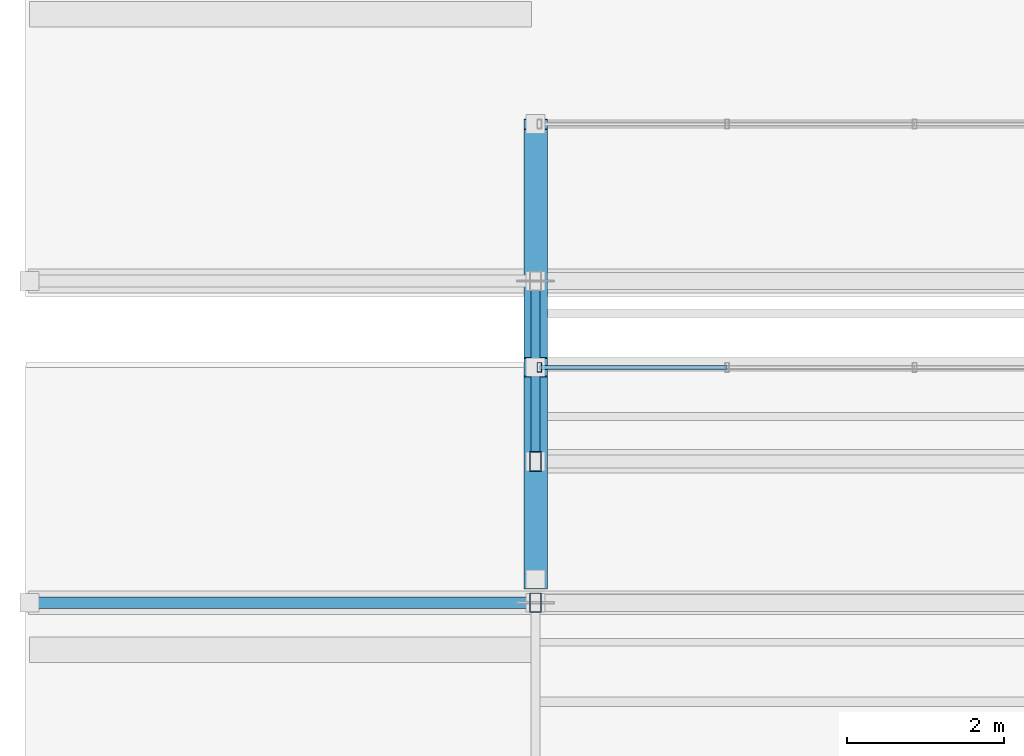
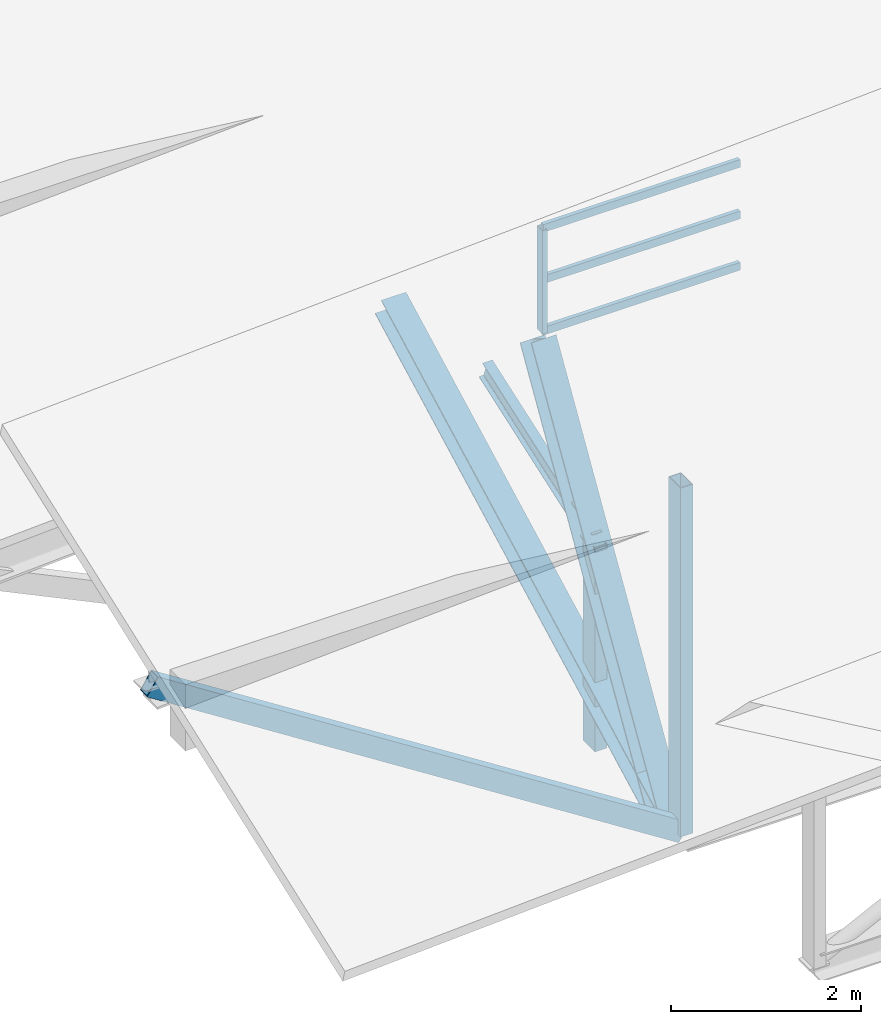
# One storey, part 75 of 141: 10 members, 1 element without a shape of its own.
"""IFC4 building model written with IfcOpenShell, lengths in metres."""

from ifc_helpers import new_model, si_unit, direction, frame, origin, origin_2d, place, context, subcontext, project, spatial, hollow_rectangle, i_section, extrude, material, material_profile, profile_set, type_object, element, aggregate, save


model = new_model("IFC4")

# Units and contexts
model_context = context("Model", 3, precision=1e-05, world=origin(), true_north=direction((0.0, 1.0)))
body_context = subcontext(model_context, "Body", "Model", "MODEL_VIEW")
ifc_project = project(units=[si_unit("LENGTHUNIT", "METRE"), si_unit("AREAUNIT", "SQUARE_METRE"), si_unit("VOLUMEUNIT", "CUBIC_METRE"), si_unit("PLANEANGLEUNIT", "RADIAN"), si_unit("MASSUNIT", "GRAM", prefix="KILO")], contexts=[model_context])

# Site, building, storey
site_placement = place(None, origin())
site = spatial("IfcSite", under=ifc_project, at=site_placement, CompositionType="ELEMENT")
building_placement = place(site_placement, origin())
building = spatial("IfcBuilding", under=site, at=building_placement, Name="Sundkrona Museum", CompositionType="ELEMENT")
storey_placement = place(building_placement, frame((0.0, 0.0, 34.0)))
storey = spatial("IfcBuildingStorey", under=building, at=storey_placement, Name="RF", CompositionType="ELEMENT", Elevation=34.0)

# Members
ifc_material_1 = material(Name="Steel S355J2", Category="steel")
ifc_material_profile_1 = material_profile(ifc_material_1, i_section(OverallWidth=0.300048828125, OverallDepth=0.2900390625, WebThickness=0.008544921875, FlangeThickness=0.013916015625, FilletRadius=0.027099609375, at=origin_2d()), Name="HEA 300")
ifc_profile_set_1 = profile_set([ifc_material_profile_1], Name="Steel S355J2")
member_type_1 = type_object("IfcMemberType", Name="BR-HEA300", PredefinedType="BRACE", material=ifc_profile_set_1)
member_1_placement = place(storey_placement, frame((120.0, 40.0, -0.25), z_axis=(0.0, 0.516775406415, 0.856121007408), x_axis=(-1.0, 0.0, 0.0)))
element("IfcMember", 1, at=member_1_placement, inside=storey, type_object=member_type_1, Name="RFS-1 Sawtooth Bay 6 Clerestory Corner Post W", PredefinedType="BRACE", context=body_context, shape_type="SweptSolid", body=[
    extrude(i_section(OverallWidth=0.300048828125, OverallDepth=0.2900390625, WebThickness=0.008544921875, FlangeThickness=0.013916015625, FilletRadius=0.027099609375, at=origin_2d()), origin(), (0.0, 0.0, 1.0), 5.224609375),
])
member_2_placement = place(storey_placement, frame((120.0, 40.0, -0.25), z_axis=(0.0, 0.884898022046, 0.465784811453), x_axis=(-1.0, 0.0, 0.0)))
element("IfcMember", 2, at=member_2_placement, inside=storey, type_object=member_type_1, Name="RFS-1 Sawtooth Bay 7 Clerestory Corner Post W", PredefinedType="BRACE", context=body_context, shape_type="SweptSolid", body=[
    extrude(i_section(OverallWidth=0.300048828125, OverallDepth=0.2900390625, WebThickness=0.008544921875, FlangeThickness=0.013916015625, FilletRadius=0.027099609375, at=origin_2d()), origin(), (0.0, 0.0, 1.0), 6.554443359375),
])

# Curtain wall, member
ifc_material_2 = material(Name="Unitised Aluminium-Steel and Ceramic-Clad Curtain Walling", Category="steel")
curtain_wall_type = type_object("IfcCurtainWallType", Name="CW-SW-240x13", PredefinedType="NOTDEFINED", material=ifc_material_2)
curtain_wall_placement = place(storey_placement, origin())
curtain_wall = element("IfcCurtainWall", 3, at=curtain_wall_placement, inside=storey, type_object=curtain_wall_type, Name="Sawtooth Bay 6 West North-Light Clerestory", PredefinedType="NOTDEFINED")
ifc_material_3 = material(Name="Aluminium EN AW-6060 T66", Category="aluminium")
ifc_material_profile_2 = material_profile(ifc_material_3, hollow_rectangle(XDim=0.06005859375, YDim=0.1201171875, WallThickness=0.0048828125, at=origin_2d()), Name="RHS 120x60x5.0")
ifc_profile_set_2 = profile_set([ifc_material_profile_2], Name="Aluminium EN AW-6060 T66")
member_type_2 = type_object("IfcMemberType", Name="ML-120", PredefinedType="MULLION", material=ifc_profile_set_2)
member_3_placement = place(storey_placement, frame((120.050048828125, 42.699951171875, 4.31298828125), z_axis=(0.0, 0.0, 1.0), x_axis=(1.0, 0.0, 0.0)))
member_3 = element("IfcMember", 4, at=member_3_placement, type_object=member_type_2, Name="CW-RF-SAW-06W Mullion 01", PredefinedType="MULLION", context=body_context, shape_type="SweptSolid", body=[
    extrude(hollow_rectangle(XDim=0.06005859375, YDim=0.1201171875, WallThickness=0.0048828125, at=origin_2d()), origin(), (0.0, 0.0, 1.0), 1.320068359375),
])

# Members
ifc_material_profile_3 = material_profile(ifc_material_1, i_section(OverallWidth=0.1201171875, OverallDepth=0.239990234375, WebThickness=0.006103515625, FlangeThickness=0.009765625, FilletRadius=0.014892578125, at=origin_2d()), Name="IPE 240")
ifc_profile_set_3 = profile_set([ifc_material_profile_3], Name="Steel S355J2")
member_type_3 = type_object("IfcMemberType", Name="PR-IPE240", PredefinedType="PURLIN", material=ifc_profile_set_3)
member_4_placement = place(storey_placement, frame((120.0, 41.5, 2.36865234375), z_axis=(0.0, 0.943650478915, 0.330943762056), x_axis=(-1.0, 0.0, 0.0)))
element("IfcMember", 5, at=member_4_placement, inside=storey, type_object=member_type_3, Name="RFS-1 Sawtooth Bay 7 Transverse Rafter 1", PredefinedType="PURLIN", context=body_context, shape_type="SweptSolid", body=[
    extrude(i_section(OverallWidth=0.1201171875, OverallDepth=0.239990234375, WebThickness=0.006103515625, FlangeThickness=0.009765625, FilletRadius=0.014892578125, at=origin_2d()), origin(), (0.0, 0.0, 1.0), 2.4375),
])
ifc_material_profile_4 = material_profile(ifc_material_1, hollow_rectangle(XDim=0.14990234375, YDim=0.25, WallThickness=0.010009765625, at=origin_2d()), Name="RHS 250x150x10.0")
ifc_profile_set_4 = profile_set([ifc_material_profile_4], Name="Steel S355J2")
member_type_4 = type_object("IfcMemberType", Name="ST-RHS250", PredefinedType="STRUT", material=ifc_profile_set_4)
member_5_placement = place(storey_placement, frame((120.0, 39.699951171875, -0.25), z_axis=(-0.842244766403, 0.0, 0.539095310188), x_axis=(0.0, -1.0, 0.0)))
element("IfcMember", 6, at=member_5_placement, inside=storey, type_object=member_type_4, Name="RFS-1 Sawtooth Truss 6 West Knee Strut", PredefinedType="STRUT", context=body_context, shape_type="SweptSolid", body=[
    extrude(hollow_rectangle(XDim=0.14990234375, YDim=0.25, WallThickness=0.010009765625, at=origin_2d()), origin(), (0.0, 0.0, 1.0), 7.657958984375),
])
member_6_placement = place(storey_placement, frame((120.0, 39.699951171875, -0.25), z_axis=(0.0, 0.0, 1.0), x_axis=(1.0, 0.0, 0.0)))
element("IfcMember", 7, at=member_6_placement, inside=storey, type_object=member_type_4, Name="RFS-1 Sawtooth Truss 6 Vertical Post 1", PredefinedType="STRUT", context=body_context, shape_type="SweptSolid", body=[
    extrude(hollow_rectangle(XDim=0.14990234375, YDim=0.25, WallThickness=0.010009765625, at=origin_2d()), origin(), (0.0, 0.0, 1.0), 4.4775390625),
])
member_7_placement = place(storey_placement, frame((120.0, 41.5, -0.25), z_axis=(0.0, 0.0, 1.0), x_axis=(1.0, 0.0, 0.0)))
element("IfcMember", 8, at=member_7_placement, inside=storey, type_object=member_type_4, Name="RFS-1 Sawtooth Bay 7 Valley Post 1", PredefinedType="STRUT", context=body_context, shape_type="SweptSolid", body=[
    extrude(hollow_rectangle(XDim=0.14990234375, YDim=0.25, WallThickness=0.010009765625, at=origin_2d()), origin(), (0.0, 0.0, 1.0), 2.61865234375),
])

# Member
ifc_material_profile_5 = material_profile(ifc_material_3, hollow_rectangle(XDim=0.050048828125, YDim=0.10009765625, WallThickness=0.0048828125, at=origin_2d()), Name="RHS 100x50x5.0")
ifc_profile_set_5 = profile_set([ifc_material_profile_5], Name="Aluminium EN AW-6060 T66")
member_type_5 = type_object("IfcMemberType", Name="TR-100", PredefinedType="USERDEFINED", material=ifc_profile_set_5)
member_8_placement = place(storey_placement, frame((120.050048828125, 42.699951171875, 4.31298828125), z_axis=(1.0, 0.0, 0.0), x_axis=(0.0, 1.0, 0.0)))
member_8 = element("IfcMember", 9, at=member_8_placement, type_object=member_type_5, Name="CW-RF-SAW-06W Transom 01", ObjectType="TRANSOM", PredefinedType="USERDEFINED", context=body_context, shape_type="SweptSolid", body=[
    extrude(hollow_rectangle(XDim=0.050048828125, YDim=0.10009765625, WallThickness=0.0048828125, at=origin_2d()), origin(), (0.0, 0.0, 1.0), 2.389892578125),
])

member_9_placement = place(storey_placement, frame((120.050048828125, 42.699951171875, 4.972900390625), z_axis=(1.0, 0.0, 0.0), x_axis=(0.0, 1.0, 0.0)))
member_9 = element("IfcMember", 10, at=member_9_placement, type_object=member_type_5, Name="CW-RF-SAW-06W Transom 02", ObjectType="TRANSOM", PredefinedType="USERDEFINED", context=body_context, shape_type="SweptSolid", body=[
    extrude(hollow_rectangle(XDim=0.050048828125, YDim=0.10009765625, WallThickness=0.0048828125, at=origin_2d()), origin(), (0.0, 0.0, 1.0), 2.389892578125),
])

member_10_placement = place(storey_placement, frame((120.050048828125, 42.699951171875, 5.633056640625), z_axis=(1.0, 0.0, 0.0), x_axis=(0.0, 1.0, 0.0)))
member_10 = element("IfcMember", 11, at=member_10_placement, type_object=member_type_5, Name="CW-RF-SAW-06W Transom 03", ObjectType="TRANSOM", PredefinedType="USERDEFINED", context=body_context, shape_type="SweptSolid", body=[
    extrude(hollow_rectangle(XDim=0.050048828125, YDim=0.10009765625, WallThickness=0.0048828125, at=origin_2d()), origin(), (0.0, 0.0, 1.0), 2.389892578125),
])

aggregate(curtain_wall, [member_3, member_8, member_9, member_10])

save(model, "model.ifc")
